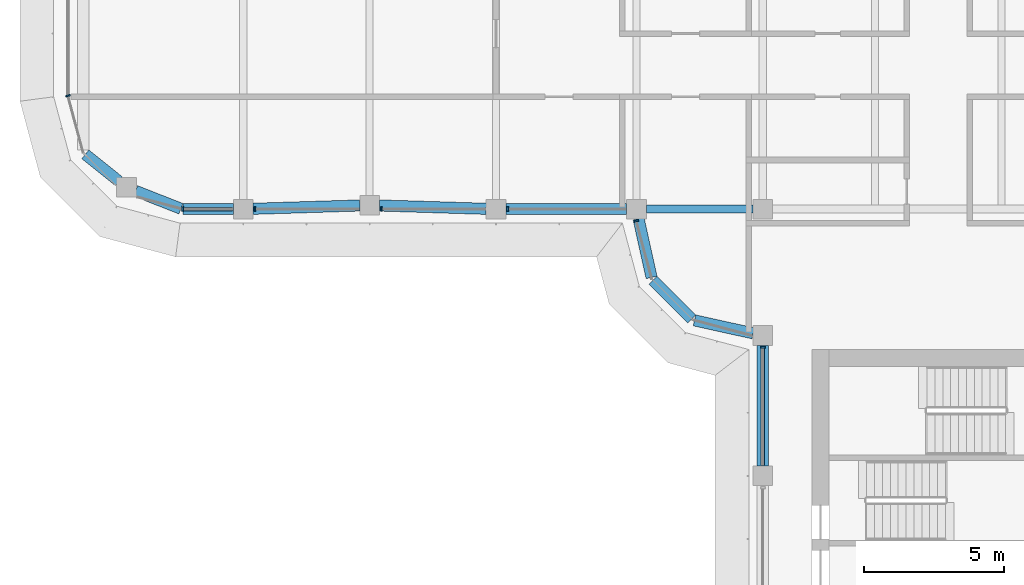
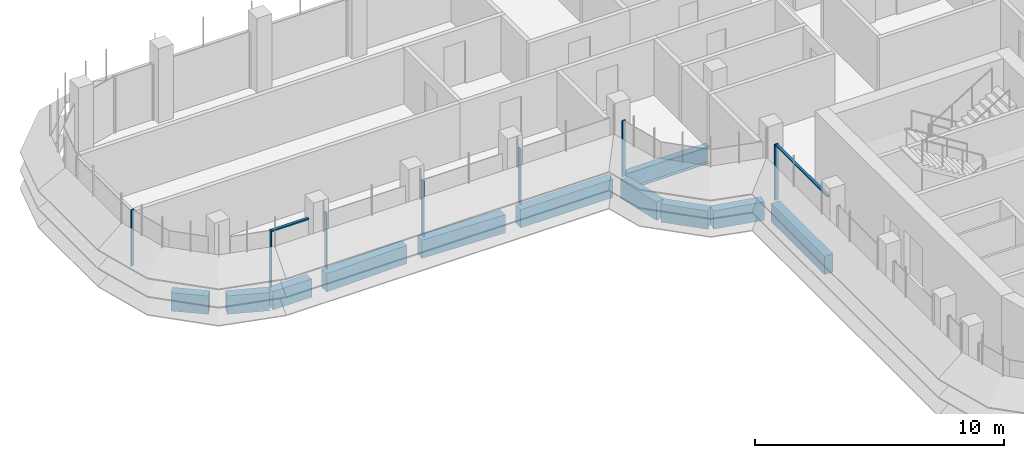
# One storey, part 3 of 19: 11 beams, 9 members, 4 elements without a shape of their own.
"""IFC4 building model written with IfcOpenShell, lengths in metres."""

from ifc_helpers import new_model, si_unit, direction, frame, origin, origin_2d, place, context, subcontext, project, spatial, polyline, rectangle, i_section, outline, extrude, source, transform, mapped, material, material_profile, profile_set, type_object, element, aggregate, save


model = new_model("IFC4")

# Units and contexts
model_context = context("Model", 3, precision=1e-05, world=origin(), true_north=direction((0.0, 1.0)))
body_context = subcontext(model_context, "Body", "Model", "MODEL_VIEW")
ifc_project = project(units=[si_unit("LENGTHUNIT", "METRE"), si_unit("AREAUNIT", "SQUARE_METRE"), si_unit("VOLUMEUNIT", "CUBIC_METRE"), si_unit("PLANEANGLEUNIT", "RADIAN"), si_unit("MASSUNIT", "GRAM", prefix="KILO")], contexts=[model_context])

# Site, building, storey
site_placement = place(None, origin())
site = spatial("IfcSite", under=ifc_project, at=site_placement, CompositionType="ELEMENT")
building_placement = place(site_placement, origin())
building = spatial("IfcBuilding", under=site, at=building_placement, Name="Zarbagh Exchange Tower", CompositionType="ELEMENT")
storey_placement = place(building_placement, frame((0.0, 0.0, 199.199951171875)))
storey = spatial("IfcBuildingStorey", under=building, at=storey_placement, Name="L48", CompositionType="ELEMENT", Elevation=199.199951171875)

# Beams
ifc_material_1 = material(Name="Steel ASTM A992 Gr 50", Category="steel")
ifc_material_profile_1 = material_profile(ifc_material_1, i_section(OverallWidth=0.2919921875, OverallDepth=0.835693359375, WebThickness=0.013916015625, FlangeThickness=0.018798828125, at=origin_2d()), Name="W33X118")
ifc_profile_set_1 = profile_set([ifc_material_profile_1], Name="Steel ASTM A992 Gr 50")
beam_type_1 = type_object("IfcBeamType", Name="Floor girder W33X118", PredefinedType="BEAM", material=ifc_profile_set_1)
beam_1_placement = place(storey_placement, frame((-10.39990234375, -6.25, -0.56787109375), z_axis=(1.0, 0.0, 0.0), x_axis=(0.0, 1.0, 0.0)))
element("IfcBeam", 1, at=beam_1_placement, inside=storey, type_object=beam_type_1, Name="Steel girder", PredefinedType="BEAM", context=body_context, shape_type="SweptSolid", body=[
    extrude(i_section(OverallWidth=0.2919921875, OverallDepth=0.835693359375, WebThickness=0.013916015625, FlangeThickness=0.018798828125, at=origin_2d()), origin(), (0.0, 0.0, 1.0), 3.7998046875),
])
ifc_material_2 = material(Name="Concrete C50/60", Category="concrete")
ifc_material_profile_2 = material_profile(ifc_material_2, rectangle(XDim=0.39990234375, YDim=0.89990234375, at=origin_2d()), Name="RC spandrel beam 400 x 900 C50/60")
ifc_profile_set_2 = profile_set([ifc_material_profile_2], Name="Concrete C50/60")
beam_type_2 = type_object("IfcBeamType", Name="RC spandrel beam 400 x 900 C50/60", PredefinedType="SPANDREL", material=ifc_profile_set_2)
beam_2_placement = place(storey_placement, frame((-6.25, -15.39990234375, -0.599853515625), z_axis=(0.0, 1.0, 0.0), x_axis=(-1.0, 0.0, 0.0)))
element("IfcBeam", 2, at=beam_2_placement, inside=storey, type_object=beam_type_2, Name="RC spandrel beam", PredefinedType="SPANDREL", context=body_context, shape_type="SweptSolid", body=[
    extrude(rectangle(XDim=0.39990234375, YDim=0.89990234375, at=origin_2d()), origin(), (0.0, 0.0, 1.0), 4.2998046875),
])
beam_3_placement = place(storey_placement, frame((-6.591796875, -10.67431640625, -0.599853515625), z_axis=(-0.97639036545, 0.216013551096, 0.0), x_axis=(-0.216013551096, -0.97639036545, 0.0)))
element("IfcBeam", 3, at=beam_3_placement, inside=storey, type_object=beam_type_2, Name="RC spandrel beam", PredefinedType="SPANDREL", context=body_context, shape_type="SweptSolid", body=[
    extrude(rectangle(XDim=0.39990234375, YDim=0.89990234375, at=origin_2d()), origin(), (0.0, 0.0, 1.0), 2.142822265625),
])
beam_4_placement = place(storey_placement, frame((-8.782470703125, -10.15771484375, -0.599853515625), z_axis=(-0.707106781187, 0.707106781187, 0.0), x_axis=(-0.707106781187, -0.707106781187, 0.0)))
element("IfcBeam", 4, at=beam_4_placement, inside=storey, type_object=beam_type_2, Name="RC spandrel beam", PredefinedType="SPANDREL", context=body_context, shape_type="SweptSolid", body=[
    extrude(rectangle(XDim=0.39990234375, YDim=0.89990234375, at=origin_2d()), origin(), (0.0, 0.0, 1.0), 1.94482421875),
])
beam_5_placement = place(storey_placement, frame((-10.21142578125, -8.68408203125, -0.599853515625), z_axis=(-0.216013551096, 0.97639036545, 0.0), x_axis=(-0.97639036545, -0.216013551096, 0.0)))
element("IfcBeam", 5, at=beam_5_placement, inside=storey, type_object=beam_type_2, Name="RC spandrel beam", PredefinedType="SPANDREL", context=body_context, shape_type="SweptSolid", body=[
    extrude(rectangle(XDim=0.39990234375, YDim=0.89990234375, at=origin_2d()), origin(), (0.0, 0.0, 1.0), 2.142822265625),
])
beam_6_placement = place(storey_placement, frame((-11.10009765625, -6.25, -0.599853515625), z_axis=(-1.0, 0.0, 0.0), x_axis=(0.0, -1.0, 0.0)))
element("IfcBeam", 6, at=beam_6_placement, inside=storey, type_object=beam_type_2, Name="RC spandrel beam", PredefinedType="SPANDREL", context=body_context, shape_type="SweptSolid", body=[
    extrude(rectangle(XDim=0.39990234375, YDim=0.89990234375, at=origin_2d()), origin(), (0.0, 0.0, 1.0), 4.2998046875),
])
for number, where, z_axis, x_axis, name in (
    (7, (-16.099853515625, -6.239013671875, -0.599853515625), (-0.999516950199, 0.031078389046, 0.0), (-0.031078389046, -0.999516950199, 0.0), "RC spandrel beam"),
    (8, (-20.599853515625, -6.120849609375, -0.599853515625), (-0.999516950199, -0.031078389046, 0.0), (0.031078389046, -0.999516950199, 0.0), "RC spandrel beam"),
):
    element("IfcBeam", number, at=place(storey_placement, frame(where, z_axis=z_axis, x_axis=x_axis)), inside=storey, type_object=beam_type_2, Name=name, PredefinedType="SPANDREL", context=body_context, shape_type="SweptSolid", body=[
        extrude(rectangle(XDim=0.39990234375, YDim=0.89990234375, at=origin_2d()), origin(), (0.0, 0.0, 1.0), 3.80224609375),
    ])
beam_7_placement = place(storey_placement, frame((-25.10009765625, -6.25, -0.599853515625), z_axis=(-1.0, 0.0, 0.0), x_axis=(0.0, -1.0, 0.0)))
element("IfcBeam", 9, at=beam_7_placement, inside=storey, type_object=beam_type_2, Name="RC spandrel beam", PredefinedType="SPANDREL", context=body_context, shape_type="SweptSolid", body=[
    extrude(rectangle(XDim=0.39990234375, YDim=0.89990234375, at=origin_2d()), origin(), (0.0, 0.0, 1.0), 1.796142578125),
])
beam_8_placement = place(storey_placement, frame((-26.969482421875, -6.236083984375, -0.599853515625), z_axis=(-0.930809711446, 0.365504146457, 0.0), x_axis=(-0.365504146457, -0.930809711446, 0.0)))
element("IfcBeam", 10, at=beam_8_placement, inside=storey, type_object=beam_type_2, Name="RC spandrel beam", PredefinedType="SPANDREL", context=body_context, shape_type="SweptSolid", body=[
    extrude(rectangle(XDim=0.39990234375, YDim=0.89990234375, at=origin_2d()), origin(), (0.0, 0.0, 1.0), 1.732666015625),
])
beam_9_placement = place(storey_placement, frame((-29.18115234375, -5.256103515625, -0.599853515625), z_axis=(-0.780634897504, 0.62498732531, 0.0), x_axis=(-0.62498732531, -0.780634897504, 0.0)))
element("IfcBeam", 11, at=beam_9_placement, inside=storey, type_object=beam_type_2, Name="RC spandrel beam", PredefinedType="SPANDREL", context=body_context, shape_type="SweptSolid", body=[
    extrude(rectangle(XDim=0.39990234375, YDim=0.89990234375, at=origin_2d()), origin(), (0.0, 0.0, 1.0), 1.52783203125),
])

# Curtain wall, member
ifc_material_3 = material(Name="Anodised aluminium frame and glazing", Category="aluminium")
curtain_wall_type = type_object("IfcCurtainWallType", Name="CWB Ribbon glazing, upper zones", PredefinedType="NOTDEFINED", material=ifc_material_3)
curtain_wall_1_placement = place(storey_placement, origin())
curtain_wall_1 = element("IfcCurtainWall", 12, at=curtain_wall_1_placement, inside=storey, type_object=curtain_wall_type, Name="CWB62 curtain wall", PredefinedType="NOTDEFINED")
ifc_material_4 = material(Name="Anodised aluminium frame", Category="aluminium")
member_type_1 = type_object("IfcMemberType", Name="MUB Mullion, anodised aluminium frame", PredefinedType="MULLION", material=ifc_material_4)
shared_shape_1 = source(origin(), body_context, "Body", "SweptSolid", [
    extrude(outline(polyline([(0.0, -0.080078125), (0.06005859375, -0.080078125), (0.06005859375, 0.080078125), (0.0, 0.080078125), (0.0, -0.080078125)])), origin(), (0.0, 0.0, 1.0), 2.75),
])
placement = place(storey_placement, origin())
member_1 = element("IfcMember", 13, at=placement, type_object=member_type_1, Name="CWB62 mullion 1.1", PredefinedType="MULLION", context=body_context, shape_type="MappedRepresentation", body=[
    mapped(shared_shape_1, transform((-31.0, -2.18408203125, 0.0), x_axis=(0.258824779902, -0.965924289636, 0.0), y_axis=(0.965924289636, 0.258824779902, 0.0), z_axis=(0.0, 0.0, 1.0))),
])
aggregate(curtain_wall_1, [member_1])

# Curtain wall, members
curtain_wall_2_placement = place(storey_placement, origin())
curtain_wall_2 = element("IfcCurtainWall", 14, at=curtain_wall_2_placement, inside=storey, type_object=curtain_wall_type, Name="CWB65 curtain wall", PredefinedType="NOTDEFINED")
member_2 = element("IfcMember", 15, at=placement, type_object=member_type_1, Name="CWB65 mullion 1.1", PredefinedType="MULLION", context=body_context, shape_type="MappedRepresentation", body=[
    mapped(shared_shape_1, transform((-26.93408203125, -6.25, 0.0), x_axis=(1.0, 0.0, 0.0), y_axis=(0.0, 1.0, 0.0), z_axis=(0.0, 0.0, 1.0))),
])
member_3 = element("IfcMember", 16, at=placement, type_object=member_type_1, Name="CWB65 mullion 2.1", PredefinedType="MULLION", context=body_context, shape_type="MappedRepresentation", body=[
    mapped(shared_shape_1, transform((-24.35986328125, -6.25, 0.0), x_axis=(1.0, 0.0, 0.0), y_axis=(0.0, 1.0, 0.0), z_axis=(0.0, 0.0, 1.0))),
])
member_4 = element("IfcMember", 17, at=placement, type_object=member_type_1, Name="CWB65 mullion 3.1", PredefinedType="MULLION", context=body_context, shape_type="MappedRepresentation", body=[
    mapped(shared_shape_1, transform((-19.85986328125, -6.25, 0.0), x_axis=(1.0, 0.0, 0.0), y_axis=(0.0, 1.0, 0.0), z_axis=(0.0, 0.0, 1.0))),
])
member_5 = element("IfcMember", 18, at=placement, type_object=member_type_1, Name="CWB65 mullion 4.1", PredefinedType="MULLION", context=body_context, shape_type="MappedRepresentation", body=[
    mapped(shared_shape_1, transform((-15.35986328125, -6.25, 0.0), x_axis=(1.0, 0.0, 0.0), y_axis=(0.0, 1.0, 0.0), z_axis=(0.0, 0.0, 1.0))),
])

# Curtain wall, member
curtain_wall_3_placement = place(storey_placement, origin())
curtain_wall_3 = element("IfcCurtainWall", 19, at=curtain_wall_3_placement, inside=storey, type_object=curtain_wall_type, Name="CWB41 curtain wall", PredefinedType="NOTDEFINED")
member_6 = element("IfcMember", 20, at=placement, type_object=member_type_1, Name="CWB41 mullion 1.1", PredefinedType="MULLION", context=body_context, shape_type="MappedRepresentation", body=[
    mapped(shared_shape_1, transform((-10.76171875, -6.64013671875, 0.0), x_axis=(0.258824779902, -0.965924289636, 0.0), y_axis=(0.965924289636, 0.258824779902, 0.0), z_axis=(0.0, 0.0, 1.0))),
])
aggregate(curtain_wall_3, [member_6])

curtain_wall_4_placement = place(storey_placement, origin())
curtain_wall_4 = element("IfcCurtainWall", 21, at=curtain_wall_4_placement, inside=storey, type_object=curtain_wall_type, Name="CWB53 curtain wall", PredefinedType="NOTDEFINED")
member_7 = element("IfcMember", 22, at=placement, type_object=member_type_1, Name="CWB53 mullion 1.1", PredefinedType="MULLION", context=body_context, shape_type="MappedRepresentation", body=[
    mapped(shared_shape_1, transform((-6.25, -11.14013671875, 0.0), x_axis=(0.0, -1.0, 0.0), y_axis=(1.0, 0.0, 0.0), z_axis=(0.0, 0.0, 1.0))),
])

# Member
member_type_2 = type_object("IfcMemberType", Name="TRB Transom, anodised aluminium frame", PredefinedType="USERDEFINED", material=ifc_material_4)
shared_shape_2 = source(origin(), body_context, "Body", "SweptSolid", [
    extrude(outline(polyline([(-0.06005859375, -0.06005859375), (0.0, -0.06005859375), (0.0, 0.06005859375), (-0.06005859375, 0.06005859375), (-0.06005859375, -0.06005859375)])), origin(), (0.0, 0.0, 1.0), 1.734130859375),
])
member_8 = element("IfcMember", 23, at=placement, type_object=member_type_2, Name="CWB65 transom 1.1", ObjectType="TRANSOM", PredefinedType="USERDEFINED", context=body_context, shape_type="MappedRepresentation", body=[
    mapped(shared_shape_2, transform((-26.874267578125, -6.25, 2.75), x_axis=(0.0, 0.0, 1.0), y_axis=(0.0, -1.0, 0.0), z_axis=(1.0, 0.0, 0.0))),
])

aggregate(curtain_wall_2, [member_2, member_8, member_3, member_4, member_5])

shared_shape_3 = source(origin(), body_context, "Body", "SweptSolid", [
    extrude(outline(polyline([(-0.06005859375, -0.06005859375), (0.0, -0.06005859375), (0.0, 0.06005859375), (-0.06005859375, 0.06005859375), (-0.06005859375, -0.06005859375)])), origin(), (0.0, 0.0, 1.0), 4.159912109375),
])
member_9 = element("IfcMember", 24, at=placement, type_object=member_type_2, Name="CWB53 transom 1.1", ObjectType="TRANSOM", PredefinedType="USERDEFINED", context=body_context, shape_type="MappedRepresentation", body=[
    mapped(shared_shape_3, transform((-6.25, -11.199951171875, 2.75), x_axis=(0.0, 0.0, 1.0), y_axis=(-1.0, 0.0, 0.0), z_axis=(0.0, -1.0, 0.0))),
])

aggregate(curtain_wall_4, [member_7, member_9])

save(model, "model.ifc")
